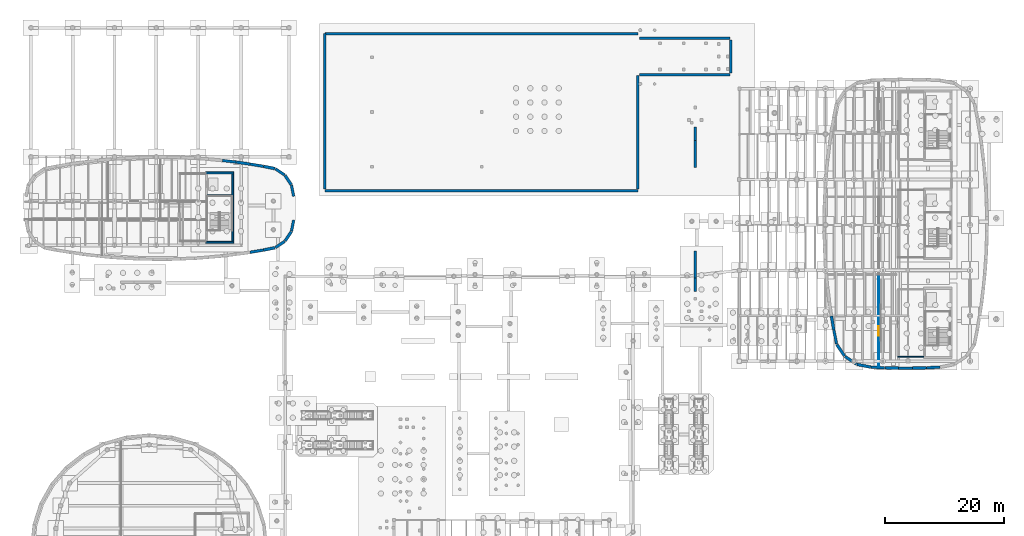
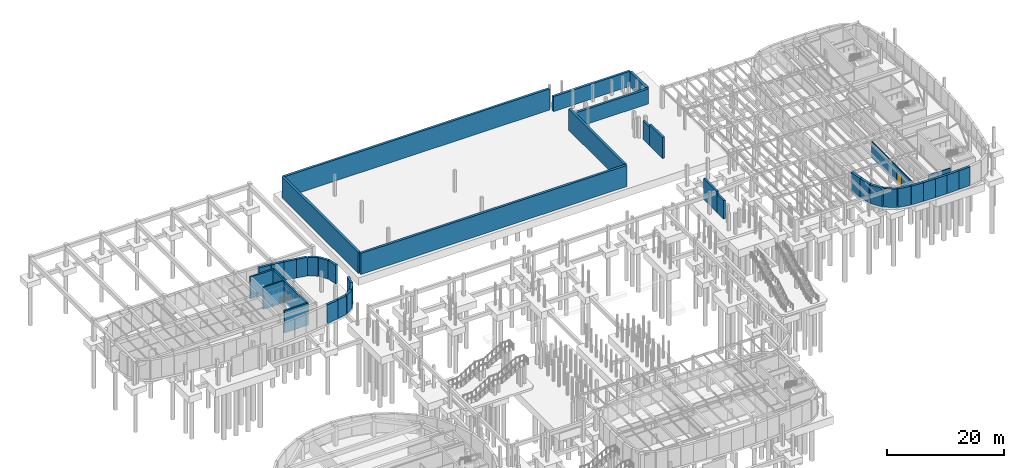
# One storey, part 36 of 45: 39 walls, 1 door, 1 opening.
"""IFC4 building model written with IfcOpenShell, lengths in metres."""

from ifc_helpers import new_model, si_unit, direction, frame, frame_2d, origin, place, context, subcontext, project, spatial, rectangle, extrude, material, layer, layer_set, type_object, element, fill, save


model = new_model("IFC4")

# Units and contexts
model_context = context("Model", 3, precision=1e-05, world=origin(), true_north=direction((0.0, 1.0)))
body_context = subcontext(model_context, "Body", "Model", "MODEL_VIEW")
ifc_project = project(units=[si_unit("LENGTHUNIT", "METRE"), si_unit("AREAUNIT", "SQUARE_METRE"), si_unit("VOLUMEUNIT", "CUBIC_METRE"), si_unit("PLANEANGLEUNIT", "RADIAN"), si_unit("MASSUNIT", "GRAM", prefix="KILO")], contexts=[model_context])

# Site, building, storey
site_placement = place(None, origin())
site = spatial("IfcSite", under=ifc_project, at=site_placement, CompositionType="ELEMENT")
building_placement = place(site_placement, origin())
building = spatial("IfcBuilding", under=site, at=building_placement, Name="Corveleigh Park Community Centre", CompositionType="ELEMENT")
storey_placement = place(building_placement, frame((0.0, 0.0, -4.199951171875)))
storey = spatial("IfcBuildingStorey", under=building, at=storey_placement, Name="B1", CompositionType="ELEMENT", Elevation=-4.199951171875)

# Wall, opening, door
ifc_material_1 = material(Name="Gypsum acoustic stud partition", Category="gypsum")
ifc_layer_1 = layer(ifc_material_1, 0.139892578125, Name="Gypsum acoustic stud partition", Category="gypsum")
ifc_layer_set_1 = layer_set([ifc_layer_1], Name="Gypsum acoustic stud partition")
wall_type_1 = type_object("IfcWallType", Name="WL-PRT-140", PredefinedType="PARTITIONING", material=ifc_layer_set_1)
wall_1_placement = place(storey_placement, frame((153.10009765625, 73.10009765625, 0.0), z_axis=(0.0, 0.0, 1.0), x_axis=(0.0, -1.0, 0.0)))
wall_1 = element("IfcWall", 1, at=wall_1_placement, inside=storey, type_object=wall_type_1, Name="Heat Pump and Thermal Plant Room corridor wall", PredefinedType="PARTITIONING", context=body_context, shape_type="SweptSolid", body=[
    extrude(rectangle(XDim=15.34716796875, YDim=0.139892578125, at=frame_2d((7.673583984375, 0.0))), origin(), (0.0, 0.0, 1.0), 3.27001953125),
])
opening_placement = place(wall_1_placement, frame((8.623046875, 0.0, 0.0)))
opening = element("IfcOpeningElement", 2, at=opening_placement, cuts=wall_1, Name="Opening FD07", PredefinedType="OPENING", context=body_context, shape_type="SweptSolid", body=[
    extrude(rectangle(XDim=1.6201171875, YDim=2.320068359375, at=frame_2d((0.81005859375, 1.16015625))), frame((0.0, 0.079833984375, 0.0), z_axis=(0.0, -1.0, 0.0), x_axis=(1.0, 0.0, 0.0)), (0.0, 0.0, 1.0), 0.159912109375),
])
ifc_material_2 = material(Name="Hardwood acoustic door leaf", Category="wood")
door_type = type_object("IfcDoorType", Name="DR-FIR-1620x2320", OperationType="DOUBLE_DOOR_SINGLE_SWING", PredefinedType="DOOR", material=ifc_material_2)
door_placement = place(opening_placement, origin())
door = element("IfcDoor", 3, at=door_placement, inside=storey, type_object=door_type, Name="Heat Pump and Thermal Plant Room door", OperationType="DOUBLE_DOOR_SINGLE_SWING", OverallHeight=2.320068359375, OverallWidth=1.6201171875, PredefinedType="DOOR", context=body_context, shape_type="SweptSolid", body=[
    extrude(rectangle(XDim=1.6201171875, YDim=2.320068359375, at=frame_2d((0.81005859375, 1.16015625))), frame((0.0, 0.02490234375, 0.0), z_axis=(0.0, -1.0, 0.0), x_axis=(1.0, 0.0, 0.0)), (0.0, 0.0, 1.0), 0.050048828125),
])
fill(opening, door)

# Walls
ifc_layer_2 = layer(ifc_material_1, 0.179931640625, Name="Gypsum acoustic stud partition", Category="gypsum")
ifc_layer_set_2 = layer_set([ifc_layer_2], Name="Gypsum acoustic stud partition")
wall_type_2 = type_object("IfcWallType", Name="WL-PRT-180", PredefinedType="PARTITIONING", material=ifc_layer_set_2)
wall_2_placement = place(storey_placement, frame((156.300048828125, 59.35009765625, 0.0), z_axis=(0.0, 0.0, 1.0), x_axis=(1.0, 0.0, 0.0)))
element("IfcWall", 4, at=wall_2_placement, inside=storey, type_object=wall_type_2, Name="CORE1 lobby south wall", PredefinedType="PARTITIONING", context=body_context, shape_type="SweptSolid", body=[
    extrude(rectangle(XDim=4.33984375, YDim=0.179931640625, at=frame_2d((2.169921875, 0.0))), origin(), (0.0, 0.0, 1.0), 3.445068359375),
])
ifc_material_3 = material(Name="Concrete C40/50", Category="concrete")
ifc_layer_3 = layer(ifc_material_3, 0.449951171875, Name="Concrete C40/50", Category="concrete")
ifc_layer_set_3 = layer_set([ifc_layer_3], Name="Concrete C40/50")
wall_type_3 = type_object("IfcWallType", Name="WL-RET-450", PredefinedType="STANDARD", material=ifc_layer_set_3)
wall_3_placement = place(storey_placement, frame((60.39990234375, 87.10009765625, -0.4150390625), z_axis=(0.0, 0.0, 1.0), x_axis=(1.0, 0.0, 0.0)))
element("IfcWall", 5, at=wall_3_placement, inside=storey, type_object=wall_type_3, Name="Car park B1 retaining plinth WL-CP-RET-S", PredefinedType="STANDARD", context=body_context, shape_type="SweptSolid", body=[
    extrude(rectangle(XDim=52.400146484375, YDim=0.449951171875, at=frame_2d((26.2001953125, 0.0))), origin(), (0.0, 0.0, 1.0), 4.405029296875),
])
wall_4_placement = place(storey_placement, frame((60.39990234375, 113.39990234375, -0.4150390625), z_axis=(0.0, 0.0, 1.0), x_axis=(0.0, -1.0, 0.0)))
element("IfcWall", 6, at=wall_4_placement, inside=storey, type_object=wall_type_3, Name="Car park B1 retaining plinth WL-CP-RET-W", PredefinedType="STANDARD", context=body_context, shape_type="SweptSolid", body=[
    extrude(rectangle(XDim=26.0, YDim=0.449951171875, at=frame_2d((13.0, 0.0))), origin(), (0.0, 0.0, 1.0), 4.405029296875),
])
wall_5_placement = place(storey_placement, frame((112.800048828125, 113.39990234375, -0.4150390625), z_axis=(0.0, 0.0, 1.0), x_axis=(-1.0, 0.0, 0.0)))
element("IfcWall", 7, at=wall_5_placement, inside=storey, type_object=wall_type_3, Name="Car park B1 retaining plinth WL-CP-RET-N", PredefinedType="STANDARD", context=body_context, shape_type="SweptSolid", body=[
    extrude(rectangle(XDim=52.400146484375, YDim=0.449951171875, at=frame_2d((26.2001953125, 0.0))), origin(), (0.0, 0.0, 1.0), 4.405029296875),
])
wall_6_placement = place(storey_placement, frame((112.800048828125, 87.39990234375, -0.4150390625), z_axis=(0.0, 0.0, 1.0), x_axis=(0.0, 1.0, 0.0)))
element("IfcWall", 8, at=wall_6_placement, inside=storey, type_object=wall_type_3, Name="Car park B1 retaining plinth WL-CP-RET-ES", PredefinedType="STANDARD", context=body_context, shape_type="SweptSolid", body=[
    extrude(rectangle(XDim=19.0, YDim=0.449951171875, at=frame_2d((9.5, 0.0))), origin(), (0.0, 0.0, 1.0), 4.405029296875),
])
for number, where, z_axis, x_axis, name in (
    (9, (113.10009765625, 106.550048828125, -0.4150390625), (0.0, 0.0, 1.0), (1.0, 0.0, 0.0), "Car park B1 retaining plinth WL-VR-RET-S"),
    (10, (128.25, 112.64990234375, -0.4150390625), (0.0, 0.0, 1.0), (-1.0, 0.0, 0.0), "Car park B1 retaining plinth WL-VR-RET-N"),
):
    element("IfcWall", number, at=place(storey_placement, frame(where, z_axis=z_axis, x_axis=x_axis)), inside=storey, type_object=wall_type_3, Name=name, PredefinedType="STANDARD", context=body_context, shape_type="SweptSolid", body=[
        extrude(rectangle(XDim=15.14990234375, YDim=0.449951171875, at=frame_2d((7.574951171875, 0.0))), origin(), (0.0, 0.0, 1.0), 3.125),
    ])
wall_7_placement = place(storey_placement, frame((128.35009765625, 106.85009765625, -0.4150390625), z_axis=(0.0, 0.0, 1.0), x_axis=(0.0, 1.0, 0.0)))
element("IfcWall", 11, at=wall_7_placement, inside=storey, type_object=wall_type_3, Name="Car park B1 retaining plinth WL-VR-RET-E", PredefinedType="STANDARD", context=body_context, shape_type="SweptSolid", body=[
    extrude(rectangle(XDim=5.5, YDim=0.449951171875, at=frame_2d((2.75, 0.0))), origin(), (0.0, 0.0, 1.0), 3.125),
])
wall_8_placement = place(storey_placement, frame((50.14990234375, 77.197998046875, 0.0), z_axis=(0.0, 0.0, 1.0), x_axis=(-0.986198804314, -0.165565450413, 0.0)))
element("IfcWall", 12, at=wall_8_placement, inside=storey, type_object=wall_type_3, Name="V2 B1 retaining wall", PredefinedType="STANDARD", context=body_context, shape_type="SweptSolid", body=[
    extrude(rectangle(XDim=2.3076171875, YDim=0.449951171875, at=frame_2d((1.15380859375, 0.0))), origin(), (0.0, 0.0, 1.0), 3.8818359375),
])
wall_9_placement = place(storey_placement, frame((53.678955078125, 78.64599609375, 0.0), z_axis=(0.0, 0.0, 1.0), x_axis=(-0.831544536789, -0.55545808423, 0.0)))
element("IfcWall", 13, at=wall_9_placement, inside=storey, type_object=wall_type_3, Name="V2 B1 retaining wall", PredefinedType="STANDARD", context=body_context, shape_type="SweptSolid", body=[
    extrude(rectangle(XDim=1.85791015625, YDim=0.449951171875, at=frame_2d((0.928955078125, 0.0))), origin(), (0.0, 0.0, 1.0), 3.8818359375),
])
for number, where, z_axis, x_axis, name in (
    (14, (55.195068359375, 82.212890625, 0.0), (0.0, 0.0, 1.0), (-0.195294204803, -0.980744703565, 0.0), "V2 B1 retaining wall"),
    (15, (54.826904296875, 88.035888671875, 0.0), (0.0, 0.0, 1.0), (0.195294204803, -0.980744703565, 0.0), "V2 B1 retaining wall"),
):
    element("IfcWall", number, at=place(storey_placement, frame(where, z_axis=z_axis, x_axis=x_axis)), inside=storey, type_object=wall_type_3, Name=name, PredefinedType="STANDARD", context=body_context, shape_type="SweptSolid", body=[
        extrude(rectangle(XDim=1.88525390625, YDim=0.449951171875, at=frame_2d((0.942626953125, 0.0))), origin(), (0.0, 0.0, 1.0), 3.8818359375),
    ])
wall_10_placement = place(storey_placement, frame((52.134033203125, 90.785888671875, 0.0), z_axis=(0.0, 0.0, 1.0), x_axis=(0.831544536789, -0.55545808423, 0.0)))
element("IfcWall", 16, at=wall_10_placement, inside=storey, type_object=wall_type_3, Name="V2 B1 retaining wall", PredefinedType="STANDARD", context=body_context, shape_type="SweptSolid", body=[
    extrude(rectangle(XDim=1.85791015625, YDim=0.449951171875, at=frame_2d((0.928955078125, 0.0))), origin(), (0.0, 0.0, 1.0), 3.8818359375),
])
wall_11_placement = place(storey_placement, frame((47.8740234375, 91.583984375, 0.0), z_axis=(0.0, 0.0, 1.0), x_axis=(0.986198804314, -0.165565450413, 0.0)))
element("IfcWall", 17, at=wall_11_placement, inside=storey, type_object=wall_type_3, Name="V2 B1 retaining wall", PredefinedType="STANDARD", context=body_context, shape_type="SweptSolid", body=[
    extrude(rectangle(XDim=2.3076171875, YDim=0.449951171875, at=frame_2d((1.15380859375, 0.0))), origin(), (0.0, 0.0, 1.0), 3.8818359375),
])
wall_12_placement = place(storey_placement, frame((43.260009765625, 92.19091796875, 0.0), z_axis=(0.0, 0.0, 1.0), x_axis=(0.992939732449, -0.118619929707, 0.0)))
element("IfcWall", 18, at=wall_12_placement, inside=storey, type_object=wall_type_3, Name="V2 B1 retaining wall", PredefinedType="STANDARD", context=body_context, shape_type="SweptSolid", body=[
    extrude(rectangle(XDim=2.309326171875, YDim=0.449951171875, at=frame_2d((1.15478515625, 0.0))), origin(), (0.0, 0.0, 1.0), 3.8818359375),
])
wall_13_placement = place(storey_placement, frame((154.110107421875, 57.491943359375, 0.0), z_axis=(0.0, 0.0, 1.0), x_axis=(-0.998902862509, 0.046830238855, 0.0)))
element("IfcWall", 19, at=wall_13_placement, inside=storey, type_object=wall_type_3, Name="V4 B1 retaining wall", PredefinedType="STANDARD", context=body_context, shape_type="SweptSolid", body=[
    extrude(rectangle(XDim=2.28857421875, YDim=0.449951171875, at=frame_2d((1.144287109375, 0.0))), origin(), (0.0, 0.0, 1.0), 3.8818359375),
])
wall_14_placement = place(storey_placement, frame((158.751953125, 57.43798828125, 0.0), z_axis=(0.0, 0.0, 1.0), x_axis=(-1.0, 0.0, 0.0)))
element("IfcWall", 20, at=wall_14_placement, inside=storey, type_object=wall_type_3, Name="V4 B1 retaining wall", PredefinedType="STANDARD", context=body_context, shape_type="SweptSolid", body=[
    extrude(rectangle(XDim=2.303955078125, YDim=0.449951171875, at=frame_2d((1.15185546875, 0.0))), origin(), (0.0, 0.0, 1.0), 3.8818359375),
])
wall_15_placement = place(storey_placement, frame((163.3759765625, 57.59912109375, 0.0), z_axis=(0.0, 0.0, 1.0), x_axis=(-0.998902628526, -0.046835229512, 0.0)))
element("IfcWall", 21, at=wall_15_placement, inside=storey, type_object=wall_type_3, Name="V4 B1 retaining wall", PredefinedType="STANDARD", context=body_context, shape_type="SweptSolid", body=[
    extrude(rectangle(XDim=2.288330078125, YDim=0.449951171875, at=frame_2d((1.14404296875, 0.0))), origin(), (0.0, 0.0, 1.0), 3.8818359375),
])
wall_16_placement = place(storey_placement, frame((146.06103515625, 61.47998046875, 0.0), z_axis=(0.0, 0.0, 1.0), x_axis=(-0.19480081414, 0.980842822684, 0.0)))
element("IfcWall", 22, at=wall_16_placement, inside=storey, type_object=wall_type_3, Name="V4 B1 retaining wall", PredefinedType="STANDARD", context=body_context, shape_type="SweptSolid", body=[
    extrude(rectangle(XDim=2.356201171875, YDim=0.449951171875, at=frame_2d((1.17822265625, 0.0))), origin(), (0.0, 0.0, 1.0), 3.8818359375),
])
wall_17_placement = place(storey_placement, frame((149.382080078125, 58.10205078125, 0.0), z_axis=(0.0, 0.0, 1.0), x_axis=(-0.831415808291, 0.555650747973, 0.0)))
element("IfcWall", 23, at=wall_17_placement, inside=storey, type_object=wall_type_3, Name="V4 B1 retaining wall", PredefinedType="STANDARD", context=body_context, shape_type="SweptSolid", body=[
    extrude(rectangle(XDim=2.310791015625, YDim=0.449951171875, at=frame_2d((1.1552734375, 0.0))), origin(), (0.0, 0.0, 1.0), 3.8818359375),
])
ifc_layer_4 = layer(ifc_material_3, 0.47998046875, Name="Concrete C40/50", Category="concrete")
ifc_layer_set_4 = layer_set([ifc_layer_4], Name="Concrete C40/50")
wall_type_4 = type_object("IfcWallType", Name="WL-RET-480", PredefinedType="STANDARD", material=ifc_layer_set_4)
wall_18_placement = place(storey_placement, frame((52.035888671875, 77.572998046875, 0.0), z_axis=(0.0, 0.0, 1.0), x_axis=(-0.980792332268, -0.195054866551, 0.0)))
element("IfcWall", 24, at=wall_18_placement, inside=storey, type_object=wall_type_4, Name="V2 B1 retaining wall", PredefinedType="STANDARD", context=body_context, shape_type="SweptSolid", body=[
    extrude(rectangle(XDim=1.902587890625, YDim=0.47998046875, at=frame_2d((0.951171875, 0.0))), origin(), (0.0, 0.0, 1.0), 3.8818359375),
])
wall_19_placement = place(storey_placement, frame((54.785888671875, 80.26611328125, 0.0), z_axis=(0.0, 0.0, 1.0), x_axis=(-0.555397393972, -0.831585073681, 0.0)))
element("IfcWall", 25, at=wall_19_placement, inside=storey, type_object=wall_type_4, Name="V2 B1 retaining wall", PredefinedType="STANDARD", context=body_context, shape_type="SweptSolid", body=[
    extrude(rectangle(XDim=1.858154296875, YDim=0.47998046875, at=frame_2d((0.92919921875, 0.0))), origin(), (0.0, 0.0, 1.0), 3.8818359375),
])
wall_20_placement = place(storey_placement, frame((53.75390625, 89.678955078125, 0.0), z_axis=(0.0, 0.0, 1.0), x_axis=(0.55545808423, -0.831544536789, 0.0)))
element("IfcWall", 26, at=wall_20_placement, inside=storey, type_object=wall_type_4, Name="V2 B1 retaining wall", PredefinedType="STANDARD", context=body_context, shape_type="SweptSolid", body=[
    extrude(rectangle(XDim=1.85791015625, YDim=0.47998046875, at=frame_2d((0.928955078125, 0.0))), origin(), (0.0, 0.0, 1.0), 3.8818359375),
])
wall_21_placement = place(storey_placement, frame((50.169921875, 91.197998046875, 0.0), z_axis=(0.0, 0.0, 1.0), x_axis=(0.980792332268, -0.195054866551, 0.0)))
element("IfcWall", 27, at=wall_21_placement, inside=storey, type_object=wall_type_4, Name="V2 B1 retaining wall", PredefinedType="STANDARD", context=body_context, shape_type="SweptSolid", body=[
    extrude(rectangle(XDim=1.902587890625, YDim=0.47998046875, at=frame_2d((0.951171875, 0.0))), origin(), (0.0, 0.0, 1.0), 3.8818359375),
])
wall_22_placement = place(storey_placement, frame((45.571044921875, 91.9150390625, 0.0), z_axis=(0.0, 0.0, 1.0), x_axis=(0.989785970385, -0.142561330065, 0.0)))
element("IfcWall", 28, at=wall_22_placement, inside=storey, type_object=wall_type_4, Name="V2 B1 retaining wall", PredefinedType="STANDARD", context=body_context, shape_type="SweptSolid", body=[
    extrude(rectangle(XDim=2.30859375, YDim=0.47998046875, at=frame_2d((1.154296875, 0.0))), origin(), (0.0, 0.0, 1.0), 3.8818359375),
])
for number, where, z_axis, x_axis, name in (
    (29, (156.429931640625, 57.43798828125, 0.0), (0.0, 0.0, 1.0), (-0.999725435497, 0.023431893228, 0.0), "V4 B1 retaining wall"),
    (30, (161.072021484375, 57.491943359375, 0.0), (0.0, 0.0, 1.0), (-0.999725435497, -0.023431893228, 0.0), "V4 B1 retaining wall"),
):
    element("IfcWall", number, at=place(storey_placement, frame(where, z_axis=z_axis, x_axis=x_axis)), inside=storey, type_object=wall_type_4, Name=name, PredefinedType="STANDARD", context=body_context, shape_type="SweptSolid", body=[
        extrude(rectangle(XDim=2.302734375, YDim=0.47998046875, at=frame_2d((1.1513671875, 0.0))), origin(), (0.0, 0.0, 1.0), 3.8818359375),
    ])
wall_23_placement = place(storey_placement, frame((145.597900390625, 63.80908203125, 0.0), z_axis=(0.0, 0.0, 1.0), x_axis=(-0.169679075886, 0.98549937149, 0.0)))
element("IfcWall", 31, at=wall_23_placement, inside=storey, type_object=wall_type_4, Name="V4 B1 retaining wall", PredefinedType="STANDARD", context=body_context, shape_type="SweptSolid", body=[
    extrude(rectangle(XDim=2.368408203125, YDim=0.47998046875, at=frame_2d((1.18408203125, 0.0))), origin(), (0.0, 0.0, 1.0), 3.8818359375),
])
wall_24_placement = place(storey_placement, frame((147.385986328125, 59.4609375, 0.0), z_axis=(0.0, 0.0, 1.0), x_axis=(-0.555650747973, 0.831415808291, 0.0)))
element("IfcWall", 32, at=wall_24_placement, inside=storey, type_object=wall_type_4, Name="V4 B1 retaining wall", PredefinedType="STANDARD", context=body_context, shape_type="SweptSolid", body=[
    extrude(rectangle(XDim=2.310791015625, YDim=0.47998046875, at=frame_2d((1.1552734375, 0.0))), origin(), (0.0, 0.0, 1.0), 3.8818359375),
])
wall_25_placement = place(storey_placement, frame((151.77587890625, 57.60498046875, 0.0), z_axis=(0.0, 0.0, 1.0), x_axis=(-0.980836573739, 0.1948322756, 0.0)))
element("IfcWall", 33, at=wall_25_placement, inside=storey, type_object=wall_type_4, Name="V4 B1 retaining wall", PredefinedType="STANDARD", context=body_context, shape_type="SweptSolid", body=[
    extrude(rectangle(XDim=2.3408203125, YDim=0.47998046875, at=frame_2d((1.17041015625, 0.0))), origin(), (0.0, 0.0, 1.0), 3.8818359375),
])
ifc_layer_5 = layer(ifc_material_3, 0.25, Name="Concrete C40/50", Category="concrete")
ifc_layer_set_5 = layer_set([ifc_layer_5], Name="Concrete C40/50")
wall_type_5 = type_object("IfcWallType", Name="WL-SHR-250", PredefinedType="SHEAR", material=ifc_layer_set_5)
wall_26_placement = place(storey_placement, frame((40.762939453125, 86.300048828125, -0.4150390625), z_axis=(0.0, 0.0, 1.0), x_axis=(1.0, 0.0, 0.0)))
element("IfcWall", 34, at=wall_26_placement, inside=storey, type_object=wall_type_5, Name="CORE3 shaft wall", PredefinedType="SHEAR", context=body_context, shape_type="SweptSolid", body=[
    extrude(rectangle(XDim=4.073974609375, YDim=0.25, at=frame_2d((2.037109375, 0.0))), origin(), (0.0, 0.0, 1.0), 4.614990234375),
])
ifc_layer_6 = layer(ifc_material_3, 0.324951171875, Name="Concrete C40/50", Category="concrete")
ifc_layer_set_6 = layer_set([ifc_layer_6], Name="Concrete C40/50")
wall_type_6 = type_object("IfcWallType", Name="WL-SHR-325", PredefinedType="SHEAR", material=ifc_layer_set_6)
wall_27_placement = place(storey_placement, frame((40.43798828125, 78.5, -0.4150390625), z_axis=(0.0, 0.0, 1.0), x_axis=(1.0, 0.0, 0.0)))
element("IfcWall", 35, at=wall_27_placement, inside=storey, type_object=wall_type_6, Name="CORE3 south shear wall", PredefinedType="SHEAR", context=body_context, shape_type="SweptSolid", body=[
    extrude(rectangle(XDim=4.72509765625, YDim=0.324951171875, at=frame_2d((2.362548828125, 0.0))), origin(), (0.0, 0.0, 1.0), 4.614990234375),
])
wall_28_placement = place(storey_placement, frame((45.0, 78.662109375, -0.4150390625), z_axis=(0.0, 0.0, 1.0), x_axis=(0.0, 1.0, 0.0)))
element("IfcWall", 36, at=wall_28_placement, inside=storey, type_object=wall_type_6, Name="CORE3 east shear wall", PredefinedType="SHEAR", context=body_context, shape_type="SweptSolid", body=[
    extrude(rectangle(XDim=11.27587890625, YDim=0.324951171875, at=frame_2d((5.637939453125, 0.0))), origin(), (0.0, 0.0, 1.0), 4.614990234375),
])
wall_29_placement = place(storey_placement, frame((45.1630859375, 90.10009765625, -0.4150390625), z_axis=(0.0, 0.0, 1.0), x_axis=(-1.0, 0.0, 0.0)))
element("IfcWall", 37, at=wall_29_placement, inside=storey, type_object=wall_type_6, Name="CORE3 north shear wall", PredefinedType="SHEAR", context=body_context, shape_type="SweptSolid", body=[
    extrude(rectangle(XDim=4.72509765625, YDim=0.324951171875, at=frame_2d((2.362548828125, 0.0))), origin(), (0.0, 0.0, 1.0), 4.614990234375),
])
ifc_layer_7 = layer(ifc_material_3, 0.3798828125, Name="Concrete C40/50", Category="concrete")
ifc_layer_set_7 = layer_set([ifc_layer_7], Name="Concrete C40/50")
wall_type_7 = type_object("IfcWallType", Name="WL-SUP-380", PredefinedType="SHEAR", material=ifc_layer_set_7)
wall_30_placement = place(storey_placement, frame((122.39990234375, 70.25, -0.4150390625), z_axis=(0.0, 0.0, 1.0), x_axis=(0.0, 1.0, 0.0)))
element("IfcWall", 38, at=wall_30_placement, inside=storey, type_object=wall_type_7, Name="Ramp lower cheek wall", PredefinedType="SHEAR", context=body_context, shape_type="SweptSolid", body=[
    extrude(rectangle(XDim=2.25, YDim=0.3798828125, at=frame_2d((1.125, 0.0))), origin(), (0.0, 0.0, 1.0), 3.820068359375),
])
wall_31_placement = place(storey_placement, frame((122.39990234375, 72.5, -0.4150390625), z_axis=(0.0, 0.0, 1.0), x_axis=(0.0, 1.0, 0.0)))
element("IfcWall", 39, at=wall_31_placement, inside=storey, type_object=wall_type_7, Name="Ramp upper cheek wall", PredefinedType="SHEAR", context=body_context, shape_type="SweptSolid", body=[
    extrude(rectangle(XDim=4.5, YDim=0.3798828125, at=frame_2d((2.25, 0.0))), origin(), (0.0, 0.0, 1.0), 4.409912109375),
])
wall_32_placement = place(storey_placement, frame((122.39990234375, 97.75, -0.4150390625), z_axis=(0.0, 0.0, 1.0), x_axis=(0.0, -1.0, 0.0)))
element("IfcWall", 40, at=wall_32_placement, inside=storey, type_object=wall_type_7, Name="Ramp lower cheek wall", PredefinedType="SHEAR", context=body_context, shape_type="SweptSolid", body=[
    extrude(rectangle(XDim=2.25, YDim=0.3798828125, at=frame_2d((1.125, 0.0))), origin(), (0.0, 0.0, 1.0), 3.820068359375),
])
wall_33_placement = place(storey_placement, frame((122.39990234375, 95.5, -0.4150390625), z_axis=(0.0, 0.0, 1.0), x_axis=(0.0, -1.0, 0.0)))
element("IfcWall", 41, at=wall_33_placement, inside=storey, type_object=wall_type_7, Name="Ramp upper cheek wall", PredefinedType="SHEAR", context=body_context, shape_type="SweptSolid", body=[
    extrude(rectangle(XDim=4.5, YDim=0.3798828125, at=frame_2d((2.25, 0.0))), origin(), (0.0, 0.0, 1.0), 4.409912109375),
])

save(model, "model.ifc")
